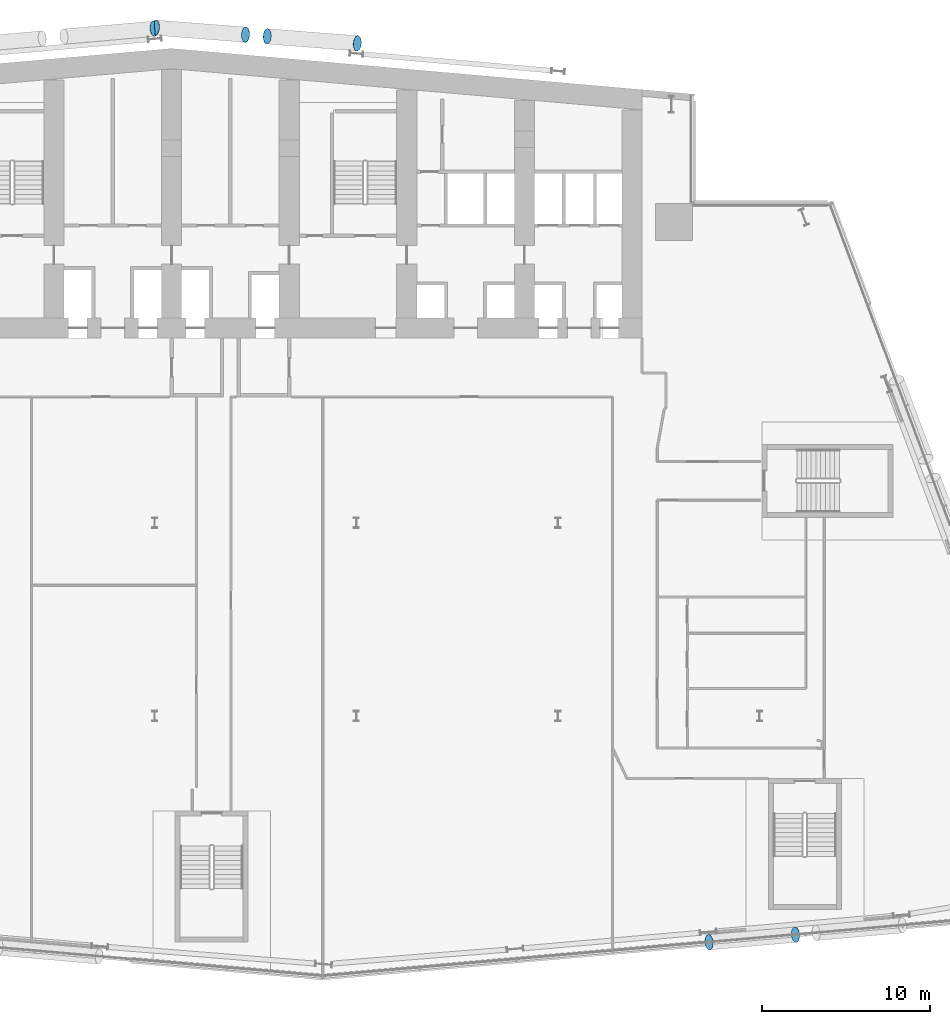
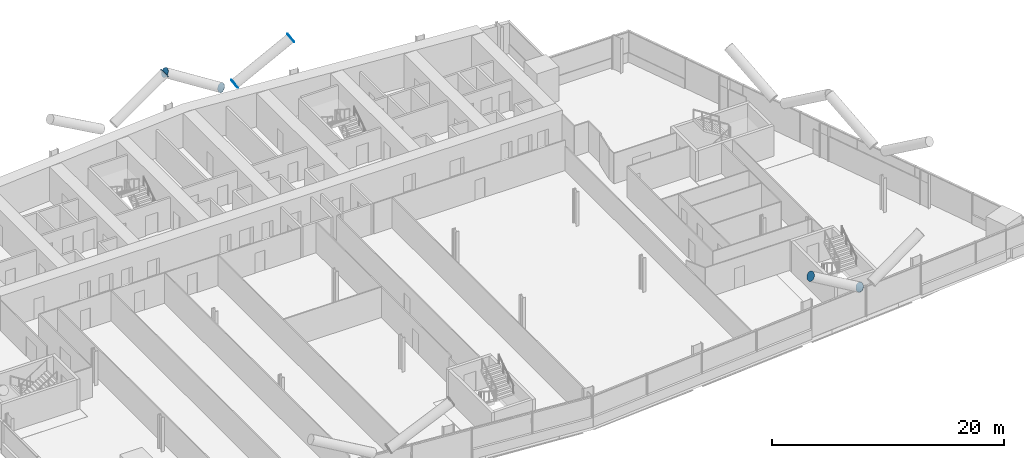
# One storey, part 20 of 25: 7 discrete accessories.
"""IFC4 building model written with IfcOpenShell, lengths in metres."""

from ifc_helpers import new_model, si_unit, direction, frame, origin, origin_2d, place, context, subcontext, project, spatial, circle, extrude, material, material_profile, profile_set, type_object, element, save


model = new_model("IFC4")

# Units and contexts
model_context = context("Model", 3, precision=1e-05, world=origin(), true_north=direction((0.0, 1.0)))
body_context = subcontext(model_context, "Body", "Model", "MODEL_VIEW")
ifc_project = project(units=[si_unit("LENGTHUNIT", "METRE"), si_unit("AREAUNIT", "SQUARE_METRE"), si_unit("VOLUMEUNIT", "CUBIC_METRE"), si_unit("PLANEANGLEUNIT", "RADIAN"), si_unit("MASSUNIT", "GRAM", prefix="KILO")], contexts=[model_context])

# Site, building, storey
site_placement = place(None, origin())
site = spatial("IfcSite", under=ifc_project, at=site_placement, CompositionType="ELEMENT")
building_placement = place(site_placement, origin())
building = spatial("IfcBuilding", under=site, at=building_placement, Name="Wharfspan Tower", CompositionType="ELEMENT")
storey_placement = place(building_placement, frame((0.0, 0.0, 70.300049)))
storey = spatial("IfcBuildingStorey", under=building, at=storey_placement, Name="L14", CompositionType="ELEMENT", Elevation=70.300049)

# Discrete accessories
ifc_material = material(Name="Steel S460NH", Category="steel")
ifc_material_profile = material_profile(ifc_material, circle(Radius=0.457031, at=origin_2d()))
ifc_profile_set = profile_set([ifc_material_profile], Name="Steel S460NH")
discrete_accessory_type = type_object("IfcDiscreteAccessoryType", Name="End plate CHS 914x40", PredefinedType="BRACKET", material=ifc_profile_set)
for number, where, z_axis, x_axis, name in (
    (1, (74.137451, -1.507568, 3.280518), (-0.848411, -0.07486, 0.524018), (0.087893, -0.996132, -2e-06), "End plate CHS 914x40"),
    (2, (68.995117, -1.95752, 6.5), (-0.848411, -0.07486, 0.524018), (0.087893, -0.996132, -2e-06), "End plate CHS 914x40"),
):
    element("IfcDiscreteAccessory", number, at=place(storey_placement, frame(where, z_axis=z_axis, x_axis=x_axis)), inside=storey, type_object=discrete_accessory_type, Name=name, PredefinedType="BRACKET", context=body_context, shape_type="SweptSolid", body=[
        extrude(circle(Radius=0.457031, at=origin_2d()), origin(), (0.0, 0.0, 1.0), 0.009766),
    ])
for number, where, z_axis, x_axis, name in (
    (3, (35.947266, 52.412842, 6.5), (0.855186, 0.073302, 0.513112), (-0.085402, 0.996345, 1e-06), "End plate CHS 914x40"),
    (4, (42.687988, 51.960449, 3.284912), (0.856465, -0.048941, 0.513879), (0.05705, 0.998372, 0.0), "End plate CHS 914x40"),
    (5, (48.044434, 51.544434, 6.5), (0.855186, -0.073302, 0.513112), (0.085402, 0.996345, -1e-06), "End plate CHS 914x40"),
    (6, (41.405029, 52.060303, 3.284912), (-0.856465, 0.048941, 0.513879), (-0.05705, -0.998372, 0.0), "End plate CHS 914x40"),
    (7, (36.048584, 52.476318, 6.5), (-0.856465, 0.048941, 0.513879), (-0.05705, -0.998372, 0.0), "End plate CHS 914x40"),
):
    element("IfcDiscreteAccessory", number, at=place(storey_placement, frame(where, z_axis=z_axis, x_axis=x_axis)), inside=storey, type_object=discrete_accessory_type, Name=name, PredefinedType="BRACKET", context=body_context, shape_type="SweptSolid", body=[
        extrude(circle(Radius=0.457031, at=origin_2d()), origin(), (0.0, 0.0, 1.0), 0.01001),
    ])

save(model, "model.ifc")
